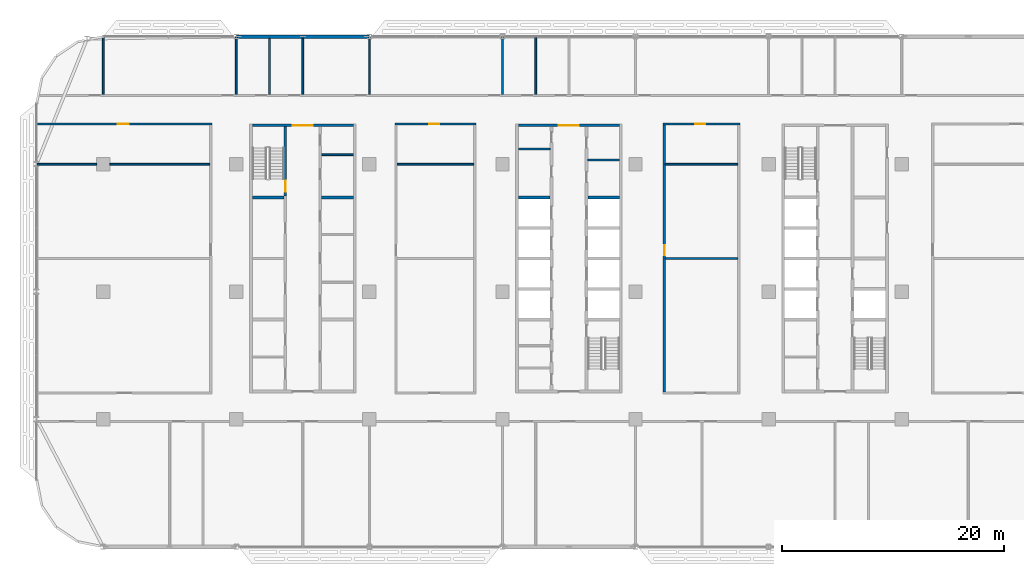
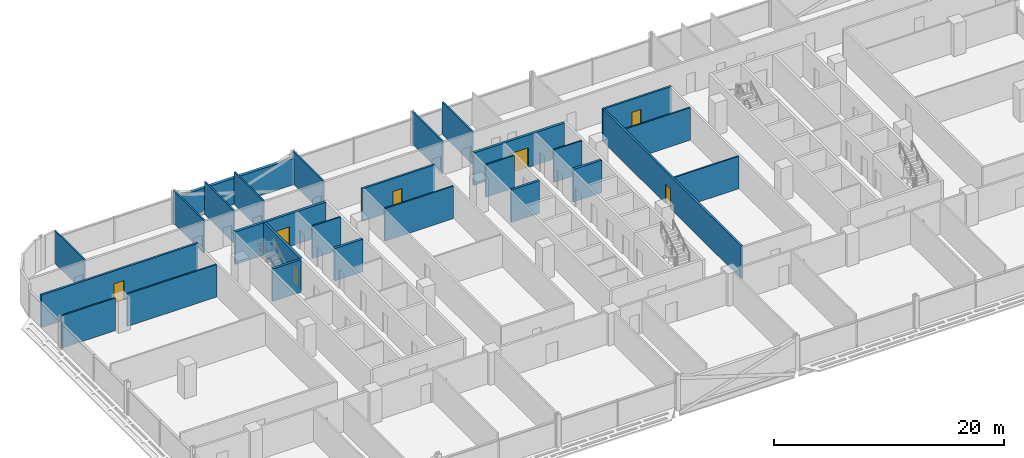
# One storey, part 13 of 27: 27 walls, 7 doors, 7 openings.
"""IFC4 building model written with IfcOpenShell, lengths in metres."""

from ifc_helpers import new_model, si_unit, direction, frame, frame_2d, origin, place, context, subcontext, project, spatial, rectangle, extrude, material, layer, layer_set, type_object, element, fill, save


model = new_model("IFC4")

# Units and contexts
model_context = context("Model", 3, precision=1e-05, world=origin(), true_north=direction((0.0, 1.0)))
body_context = subcontext(model_context, "Body", "Model", "MODEL_VIEW")
ifc_project = project(units=[si_unit("LENGTHUNIT", "METRE"), si_unit("AREAUNIT", "SQUARE_METRE"), si_unit("VOLUMEUNIT", "CUBIC_METRE"), si_unit("PLANEANGLEUNIT", "RADIAN"), si_unit("MASSUNIT", "GRAM", prefix="KILO")], contexts=[model_context])

# Site, building, storey
site_placement = place(None, origin())
site = spatial("IfcSite", under=ifc_project, at=site_placement, CompositionType="ELEMENT")
building_placement = place(site_placement, origin())
building = spatial("IfcBuilding", under=site, at=building_placement, Name="Mahtab Terrace Research Tower", CompositionType="ELEMENT")
storey_placement = place(building_placement, frame((0.0, 0.0, 166.800048828125)))
storey = spatial("IfcBuildingStorey", under=building, at=storey_placement, Name="L39", CompositionType="ELEMENT", Elevation=166.800048828125)

# Walls
ifc_material_1 = material(Name="Gypsum board partition")
ifc_layer_1 = layer(ifc_material_1, 0.14990234375)
ifc_layer_set_1 = layer_set([ifc_layer_1], Name="Core partition 150")
wall_type_1 = type_object("IfcWallType", Name="Core partition 150", PredefinedType="PARTITIONING", material=ifc_layer_set_1)
for number, where, z_axis, x_axis, name in (
    (1, (-22.300048828125, 12.35498046875, 0.0), (0.0, 0.0, 1.0), (1.0, 0.0, 0.0), "Core wall A pEN936"),
    (2, (-4.550048828125, 12.875, 0.0), (0.0, 0.0, 1.0), (1.0, 0.0, 0.0), "Core wall B pWN988"),
    (3, (1.699951171875, 11.875, 0.0), (0.0, 0.0, 1.0), (1.0, 0.0, 0.0), "Core wall B pEN888"),
):
    element("IfcWall", number, at=place(storey_placement, frame(where, z_axis=z_axis, x_axis=x_axis)), inside=storey, type_object=wall_type_1, Name=name, PredefinedType="PARTITIONING", context=body_context, shape_type="SweptSolid", body=[
        extrude(rectangle(XDim=2.85009765625, YDim=0.14990234375, at=frame_2d((1.425048828125, 0.0))), origin(), (0.0, 0.0, 1.0), 3.4599609375),
    ])

# Wall, opening, door
ifc_material_2 = material(Name="Concrete C70/85", Category="concrete")
ifc_layer_2 = layer(ifc_material_2, 0.25)
ifc_layer_set_2 = layer_set([ifc_layer_2], Name="Core wall 250")
wall_type_2 = type_object("IfcWallType", Name="Core wall 250", PredefinedType="SOLIDWALL", material=ifc_layer_set_2)
wall_1_placement = place(storey_placement, frame((-28.550048828125, 15.0, 0.0), z_axis=(0.0, 0.0, 1.0), x_axis=(1.0, 0.0, 0.0)))
wall_1 = element("IfcWall", 4, at=wall_1_placement, inside=storey, type_object=wall_type_2, Name="Core wall A endN", PredefinedType="SOLIDWALL", context=body_context, shape_type="SweptSolid", body=[
    extrude(rectangle(XDim=9.10009765625, YDim=0.25, at=frame_2d((4.550048828125, 0.0))), origin(), (0.0, 0.0, 1.0), 3.4599609375),
])
opening_1_placement = place(wall_1_placement, frame((3.64990234375, 0.0, 0.0)))
opening_1 = element("IfcOpeningElement", 5, at=opening_1_placement, cuts=wall_1, Name="Opening A-N1", PredefinedType="OPENING", context=body_context, shape_type="SweptSolid", body=[
    extrude(rectangle(XDim=1.800048828125, YDim=2.10009765625, at=frame_2d((0.89990234375, 1.050048828125))), frame((0.0, 0.135009765625, 0.0), z_axis=(0.0, -1.0, 0.0), x_axis=(1.0, 0.0, 0.0)), (0.0, 0.0, 1.0), 0.27001953125),
])
ifc_material_3 = material(Name="Steel fire door", Category="steel")
door_type_1 = type_object("IfcDoorType", Name="Lobby double door 1800x2100 1 HR", OperationType="DOUBLE_DOOR_SINGLE_SWING", PredefinedType="DOOR", material=ifc_material_3)
door_1_placement = place(opening_1_placement, origin())
door_1 = element("IfcDoor", 6, at=door_1_placement, inside=storey, type_object=door_type_1, Name="Core entrance door A N", OperationType="DOUBLE_DOOR_SINGLE_SWING", OverallHeight=2.10009765625, OverallWidth=1.800048828125, PredefinedType="DOOR", context=body_context, shape_type="SweptSolid", body=[
    extrude(rectangle(XDim=1.800048828125, YDim=2.10009765625, at=frame_2d((0.89990234375, 1.050048828125))), frame((0.0, 0.02490234375, 0.0), z_axis=(0.0, -1.0, 0.0), x_axis=(1.0, 0.0, 0.0)), (0.0, 0.0, 1.0), 0.050048828125),
])
fill(opening_1, door_1)

wall_2_placement = place(storey_placement, frame((-25.574951171875, 14.875, 0.0), z_axis=(0.0, 0.0, 1.0), x_axis=(0.0, -1.0, 0.0)))
wall_2 = element("IfcWall", 7, at=wall_2_placement, inside=storey, type_object=wall_type_2, Name="Core wall A innerWN", PredefinedType="SOLIDWALL", context=body_context, shape_type="SweptSolid", body=[
    extrude(rectangle(XDim=6.25, YDim=0.25, at=frame_2d((3.125, 0.0))), origin(), (0.0, 0.0, 1.0), 3.4599609375),
])
opening_2_placement = place(wall_2_placement, frame((4.85009765625, 0.0, 0.0)))
opening_2 = element("IfcOpeningElement", 8, at=opening_2_placement, cuts=wall_2, Name="Opening A-ST1", PredefinedType="OPENING", context=body_context, shape_type="SweptSolid", body=[
    extrude(rectangle(XDim=1.0, YDim=2.10009765625, at=frame_2d((0.5, 1.050048828125))), frame((0.0, 0.135009765625, 0.0), z_axis=(0.0, -1.0, 0.0), x_axis=(1.0, 0.0, 0.0)), (0.0, 0.0, 1.0), 0.27001953125),
])
door_type_2 = type_object("IfcDoorType", Name="Stair door 1000x2100 1.5 HR", OperationType="NOTDEFINED", PredefinedType="DOOR", material=ifc_material_3)
door_2_placement = place(opening_2_placement, origin())
door_2 = element("IfcDoor", 9, at=door_2_placement, inside=storey, type_object=door_type_2, Name="Stair door ST1 L39", OperationType="SINGLE_SWING_LEFT", OverallHeight=2.10009765625, OverallWidth=1.0, PredefinedType="DOOR", context=body_context, shape_type="SweptSolid", body=[
    extrude(rectangle(XDim=1.0, YDim=2.10009765625, at=frame_2d((0.5, 1.050048828125))), frame((0.0, 0.02490234375, 0.0), z_axis=(0.0, -1.0, 0.0), x_axis=(1.0, 0.0, 0.0)), (0.0, 0.0, 1.0), 0.050048828125),
])
fill(opening_2, door_2)

# Walls
for number, where, z_axis, x_axis, name in (
    (10, (-28.550048828125, 8.5, 0.0), (0.0, 0.0, 1.0), (1.0, 0.0, 0.0), "Core wall A divW4"),
    (11, (-22.300048828125, 8.5, 0.0), (0.0, 0.0, 1.0), (1.0, 0.0, 0.0), "Core wall A divE4"),
):
    element("IfcWall", number, at=place(storey_placement, frame(where, z_axis=z_axis, x_axis=x_axis)), inside=storey, type_object=wall_type_2, Name=name, PredefinedType="SOLIDWALL", context=body_context, shape_type="SweptSolid", body=[
        extrude(rectangle(XDim=2.85009765625, YDim=0.25, at=frame_2d((1.425048828125, 0.0))), origin(), (0.0, 0.0, 1.0), 3.4599609375),
    ])

# Wall, opening, door
wall_3_placement = place(storey_placement, frame((-4.550048828125, 15.0, 0.0), z_axis=(0.0, 0.0, 1.0), x_axis=(1.0, 0.0, 0.0)))
wall_3 = element("IfcWall", 12, at=wall_3_placement, inside=storey, type_object=wall_type_2, Name="Core wall B endN", PredefinedType="SOLIDWALL", context=body_context, shape_type="SweptSolid", body=[
    extrude(rectangle(XDim=9.10009765625, YDim=0.25, at=frame_2d((4.550048828125, 0.0))), origin(), (0.0, 0.0, 1.0), 3.4599609375),
])
opening_3_placement = place(wall_3_placement, frame((3.64990234375, 0.0, 0.0)))
opening_3 = element("IfcOpeningElement", 13, at=opening_3_placement, cuts=wall_3, Name="Opening B-N1", PredefinedType="OPENING", context=body_context, shape_type="SweptSolid", body=[
    extrude(rectangle(XDim=1.800048828125, YDim=2.10009765625, at=frame_2d((0.89990234375, 1.050048828125))), frame((0.0, 0.135009765625, 0.0), z_axis=(0.0, -1.0, 0.0), x_axis=(1.0, 0.0, 0.0)), (0.0, 0.0, 1.0), 0.27001953125),
])
door_3_placement = place(opening_3_placement, origin())
door_3 = element("IfcDoor", 14, at=door_3_placement, inside=storey, type_object=door_type_1, Name="Core entrance door B N", OperationType="DOUBLE_DOOR_SINGLE_SWING", OverallHeight=2.10009765625, OverallWidth=1.800048828125, PredefinedType="DOOR", context=body_context, shape_type="SweptSolid", body=[
    extrude(rectangle(XDim=1.800048828125, YDim=2.10009765625, at=frame_2d((0.89990234375, 1.050048828125))), frame((0.0, 0.02490234375, 0.0), z_axis=(0.0, -1.0, 0.0), x_axis=(1.0, 0.0, 0.0)), (0.0, 0.0, 1.0), 0.050048828125),
])
fill(opening_3, door_3)

# Walls
for number, where, z_axis, x_axis, name in (
    (15, (-4.550048828125, 8.5, 0.0), (0.0, 0.0, 1.0), (1.0, 0.0, 0.0), "Core wall B divW4"),
    (16, (1.699951171875, 8.5, 0.0), (0.0, 0.0, 1.0), (1.0, 0.0, 0.0), "Core wall B divE4"),
):
    element("IfcWall", number, at=place(storey_placement, frame(where, z_axis=z_axis, x_axis=x_axis)), inside=storey, type_object=wall_type_2, Name=name, PredefinedType="SOLIDWALL", context=body_context, shape_type="SweptSolid", body=[
        extrude(rectangle(XDim=2.85009765625, YDim=0.25, at=frame_2d((1.425048828125, 0.0))), origin(), (0.0, 0.0, 1.0), 3.4599609375),
    ])
ifc_material_4 = material(Name="Black aluminium cladding panel", Category="aluminium")
ifc_layer_3 = layer(ifc_material_4, 0.300048828125)
ifc_layer_set_3 = layer_set([ifc_layer_3], Name="Opaque facade wall 300")
wall_type_3 = type_object("IfcWallType", Name="Opaque facade wall 300", PredefinedType="NOTDEFINED", material=ifc_layer_set_3)
wall_4_placement = place(storey_placement, frame((-18.014892578125, 23.0, 0.0), z_axis=(0.0, 0.0, 1.0), x_axis=(-1.0, 0.0, 0.0)))
element("IfcWall", 17, at=wall_4_placement, inside=storey, type_object=wall_type_3, Name="Opaque facade wall L39 N8", PredefinedType="NOTDEFINED", context=body_context, shape_type="SweptSolid", body=[
    extrude(rectangle(XDim=11.97021484375, YDim=0.300048828125, at=frame_2d((5.985107421875, 0.0))), origin(), (0.0, 0.0, 1.0), 2.78173828125),
])

# Wall, opening, door
ifc_material_5 = material(Name="Gypsum board corridor wall on steel studs", Category="steel")
ifc_layer_4 = layer(ifc_material_5, 0.199951171875)
ifc_layer_set_4 = layer_set([ifc_layer_4], Name="WALL CORRIDOR 200")
wall_type_4 = type_object("IfcWallType", Name="WALL CORRIDOR 200", PredefinedType="PARTITIONING", material=ifc_layer_set_4)
wall_5_placement = place(storey_placement, frame((-47.97509765625, 15.125, 0.0), z_axis=(0.0, 0.0, 1.0), x_axis=(1.0, 0.0, 0.0)))
wall_5 = element("IfcWall", 18, at=wall_5_placement, inside=storey, type_object=wall_type_4, Name="L39-W024", PredefinedType="PARTITIONING", context=body_context, shape_type="SweptSolid", body=[
    extrude(rectangle(XDim=15.775146484375, YDim=0.199951171875, at=frame_2d((7.8876953125, 0.0))), origin(), (0.0, 0.0, 1.0), 3.4599609375),
])
opening_4_placement = place(wall_5_placement, frame((7.300048828125, 0.0, 0.0)))
opening_4 = element("IfcOpeningElement", 19, at=opening_4_placement, cuts=wall_5, Name="Opening L39-122", PredefinedType="OPENING", context=body_context, shape_type="SweptSolid", body=[
    extrude(rectangle(XDim=1.0, YDim=2.10009765625, at=frame_2d((0.5, 1.050048828125))), frame((0.0, 0.10986328125, 0.0), z_axis=(0.0, -1.0, 0.0), x_axis=(1.0, 0.0, 0.0)), (0.0, 0.0, 1.0), 0.219970703125),
])
ifc_material_6 = material(Name="Timber door leaf in steel frame", Category="steel")
door_type_3 = type_object("IfcDoorType", Name="DOOR 1000X2100 FD30S", OperationType="SINGLE_SWING_LEFT", PredefinedType="DOOR", material=ifc_material_6)
door_4_placement = place(opening_4_placement, origin())
door_4 = element("IfcDoor", 20, at=door_4_placement, inside=storey, type_object=door_type_3, Name="Door L39-122", OperationType="SINGLE_SWING_RIGHT", OverallHeight=2.10009765625, OverallWidth=1.0, PredefinedType="DOOR", context=body_context, shape_type="SweptSolid", body=[
    extrude(rectangle(XDim=1.0, YDim=2.10009765625, at=frame_2d((0.5, 1.050048828125))), frame((0.0, 0.02490234375, 0.0), z_axis=(0.0, -1.0, 0.0), x_axis=(1.0, 0.0, 0.0)), (0.0, 0.0, 1.0), 0.050048828125),
])
fill(opening_4, door_4)

wall_6_placement = place(storey_placement, frame((-15.699951171875, 15.125, 0.0), z_axis=(0.0, 0.0, 1.0), x_axis=(1.0, 0.0, 0.0)))
wall_6 = element("IfcWall", 21, at=wall_6_placement, inside=storey, type_object=wall_type_4, Name="L39-W025", PredefinedType="PARTITIONING", context=body_context, shape_type="SweptSolid", body=[
    extrude(rectangle(XDim=7.300048828125, YDim=0.199951171875, at=frame_2d((3.64990234375, 0.0))), origin(), (0.0, 0.0, 1.0), 3.4599609375),
])
opening_5_placement = place(wall_6_placement, frame((3.10009765625, 0.0, 0.0)))
opening_5 = element("IfcOpeningElement", 22, at=opening_5_placement, cuts=wall_6, Name="Opening L39-123", PredefinedType="OPENING", context=body_context, shape_type="SweptSolid", body=[
    extrude(rectangle(XDim=0.89990234375, YDim=2.10009765625, at=frame_2d((0.449951171875, 1.050048828125))), frame((0.0, 0.10986328125, 0.0), z_axis=(0.0, -1.0, 0.0), x_axis=(1.0, 0.0, 0.0)), (0.0, 0.0, 1.0), 0.219970703125),
])
door_type_4 = type_object("IfcDoorType", Name="DOOR 0900X2100 FD30S", OperationType="SINGLE_SWING_LEFT", PredefinedType="DOOR", material=ifc_material_6)
door_5_placement = place(opening_5_placement, origin())
door_5 = element("IfcDoor", 23, at=door_5_placement, inside=storey, type_object=door_type_4, Name="Door L39-123", OperationType="SINGLE_SWING_RIGHT", OverallHeight=2.10009765625, OverallWidth=0.89990234375, PredefinedType="DOOR", context=body_context, shape_type="SweptSolid", body=[
    extrude(rectangle(XDim=0.89990234375, YDim=2.10009765625, at=frame_2d((0.449951171875, 1.050048828125))), frame((0.0, 0.02490234375, 0.0), z_axis=(0.0, -1.0, 0.0), x_axis=(1.0, 0.0, 0.0)), (0.0, 0.0, 1.0), 0.050048828125),
])
fill(opening_5, door_5)

wall_7_placement = place(storey_placement, frame((8.5, 15.125, 0.0), z_axis=(0.0, 0.0, 1.0), x_axis=(1.0, 0.0, 0.0)))
wall_7 = element("IfcWall", 24, at=wall_7_placement, inside=storey, type_object=wall_type_4, Name="L39-W026", PredefinedType="PARTITIONING", context=body_context, shape_type="SweptSolid", body=[
    extrude(rectangle(XDim=6.89990234375, YDim=0.199951171875, at=frame_2d((3.449951171875, 0.0))), origin(), (0.0, 0.0, 1.0), 3.4599609375),
])
opening_6_placement = place(wall_7_placement, frame((2.89990234375, 0.0, 0.0)))
opening_6 = element("IfcOpeningElement", 25, at=opening_6_placement, cuts=wall_7, Name="Opening L39-124", PredefinedType="OPENING", context=body_context, shape_type="SweptSolid", body=[
    extrude(rectangle(XDim=0.89990234375, YDim=2.10009765625, at=frame_2d((0.449951171875, 1.050048828125))), frame((0.0, 0.10986328125, 0.0), z_axis=(0.0, -1.0, 0.0), x_axis=(1.0, 0.0, 0.0)), (0.0, 0.0, 1.0), 0.219970703125),
])
door_6_placement = place(opening_6_placement, origin())
door_6 = element("IfcDoor", 26, at=door_6_placement, inside=storey, type_object=door_type_4, Name="Door L39-124", OperationType="SINGLE_SWING_RIGHT", OverallHeight=2.10009765625, OverallWidth=0.89990234375, PredefinedType="DOOR", context=body_context, shape_type="SweptSolid", body=[
    extrude(rectangle(XDim=0.89990234375, YDim=2.10009765625, at=frame_2d((0.449951171875, 1.050048828125))), frame((0.0, 0.02490234375, 0.0), z_axis=(0.0, -1.0, 0.0), x_axis=(1.0, 0.0, 0.0)), (0.0, 0.0, 1.0), 0.050048828125),
])
fill(opening_6, door_6)

wall_8_placement = place(storey_placement, frame((8.60009765625, -9.02490234375, 0.0), z_axis=(0.0, 0.0, 1.0), x_axis=(0.0, 1.0, 0.0)))
wall_8 = element("IfcWall", 27, at=wall_8_placement, inside=storey, type_object=wall_type_4, Name="L39-W048", PredefinedType="PARTITIONING", context=body_context, shape_type="SweptSolid", body=[
    extrude(rectangle(XDim=24.0498046875, YDim=0.199951171875, at=frame_2d((12.02490234375, 0.0))), origin(), (0.0, 0.0, 1.0), 3.4599609375),
])
opening_7_placement = place(wall_8_placement, frame((12.300048828125, 0.0, 0.0)))
opening_7 = element("IfcOpeningElement", 28, at=opening_7_placement, cuts=wall_8, Name="Opening L39-120", PredefinedType="OPENING", context=body_context, shape_type="SweptSolid", body=[
    extrude(rectangle(XDim=0.89990234375, YDim=2.10009765625, at=frame_2d((0.449951171875, 1.050048828125))), frame((0.0, 0.10986328125, 0.0), z_axis=(0.0, -1.0, 0.0), x_axis=(1.0, 0.0, 0.0)), (0.0, 0.0, 1.0), 0.219970703125),
])
door_7_placement = place(opening_7_placement, origin())
door_7 = element("IfcDoor", 29, at=door_7_placement, inside=storey, type_object=door_type_4, Name="Door L39-120", OperationType="SINGLE_SWING_LEFT", OverallHeight=2.10009765625, OverallWidth=0.89990234375, PredefinedType="DOOR", context=body_context, shape_type="SweptSolid", body=[
    extrude(rectangle(XDim=0.89990234375, YDim=2.10009765625, at=frame_2d((0.449951171875, 1.050048828125))), frame((0.0, 0.02490234375, 0.0), z_axis=(0.0, -1.0, 0.0), x_axis=(1.0, 0.0, 0.0)), (0.0, 0.0, 1.0), 0.050048828125),
])
fill(opening_7, door_7)

# Walls
ifc_material_7 = material(Name="Gypsum board partition on steel studs", Category="steel")
ifc_layer_5 = layer(ifc_material_7, 0.14990234375)
ifc_layer_set_5 = layer_set([ifc_layer_5], Name="WALL PARTITION 150")
wall_type_5 = type_object("IfcWallType", Name="WALL PARTITION 150", PredefinedType="PARTITIONING", material=ifc_layer_set_5)
wall_9_placement = place(storey_placement, frame((8.699951171875, 3.0, 0.0), z_axis=(0.0, 0.0, 1.0), x_axis=(1.0, 0.0, 0.0)))
element("IfcWall", 30, at=wall_9_placement, inside=storey, type_object=wall_type_5, Name="L39-W016", PredefinedType="PARTITIONING", context=body_context, shape_type="SweptSolid", body=[
    extrude(rectangle(XDim=6.5, YDim=0.14990234375, at=frame_2d((3.25, 0.0))), origin(), (0.0, 0.0, 1.0), 3.4599609375),
])
wall_10_placement = place(storey_placement, frame((-47.97509765625, 11.5, 0.0), z_axis=(0.0, 0.0, 1.0), x_axis=(1.0, 0.0, 0.0)))
element("IfcWall", 31, at=wall_10_placement, inside=storey, type_object=wall_type_5, Name="L39-W018", PredefinedType="PARTITIONING", context=body_context, shape_type="SweptSolid", body=[
    extrude(rectangle(XDim=5.375, YDim=0.14990234375, at=frame_2d((2.6875, 0.0))), origin(), (0.0, 0.0, 1.0), 3.4599609375),
])
wall_11_placement = place(storey_placement, frame((-41.39990234375, 11.5, 0.0), z_axis=(0.0, 0.0, 1.0), x_axis=(1.0, 0.0, 0.0)))
element("IfcWall", 32, at=wall_11_placement, inside=storey, type_object=wall_type_5, Name="L39-W019", PredefinedType="PARTITIONING", context=body_context, shape_type="SweptSolid", body=[
    extrude(rectangle(XDim=9.0, YDim=0.14990234375, at=frame_2d((4.5, 0.0))), origin(), (0.0, 0.0, 1.0), 3.4599609375),
])
wall_12_placement = place(storey_placement, frame((-15.5, 11.5, 0.0), z_axis=(0.0, 0.0, 1.0), x_axis=(1.0, 0.0, 0.0)))
element("IfcWall", 33, at=wall_12_placement, inside=storey, type_object=wall_type_5, Name="L39-W020", PredefinedType="PARTITIONING", context=body_context, shape_type="SweptSolid", body=[
    extrude(rectangle(XDim=6.89990234375, YDim=0.14990234375, at=frame_2d((3.449951171875, 0.0))), origin(), (0.0, 0.0, 1.0), 3.4599609375),
])
wall_13_placement = place(storey_placement, frame((8.699951171875, 11.5, 0.0), z_axis=(0.0, 0.0, 1.0), x_axis=(1.0, 0.0, 0.0)))
element("IfcWall", 34, at=wall_13_placement, inside=storey, type_object=wall_type_5, Name="L39-W021", PredefinedType="PARTITIONING", context=body_context, shape_type="SweptSolid", body=[
    extrude(rectangle(XDim=6.5, YDim=0.14990234375, at=frame_2d((3.25, 0.0))), origin(), (0.0, 0.0, 1.0), 3.4599609375),
])
for number, where, z_axis, x_axis, name in (
    (35, (-42.0, 17.800048828125, 0.0), (0.0, 0.0, 1.0), (0.0, 1.0, 0.0), "L39-W029"),
    (36, (-30.0, 17.800048828125, 0.0), (0.0, 0.0, 1.0), (0.0, 1.0, 0.0), "L39-W033"),
):
    element("IfcWall", number, at=place(storey_placement, frame(where, z_axis=z_axis, x_axis=x_axis)), inside=storey, type_object=wall_type_5, Name=name, PredefinedType="PARTITIONING", context=body_context, shape_type="SweptSolid", body=[
        extrude(rectangle(XDim=5.175048828125, YDim=0.14990234375, at=frame_2d((2.58740234375, 0.0))), origin(), (0.0, 0.0, 1.0), 3.4599609375),
    ])
for number, where, z_axis, x_axis, name in (
    (37, (-27.0, 17.800048828125, 0.0), (0.0, 0.0, 1.0), (0.0, 1.0, 0.0), "L39-W034"),
    (38, (-24.0, 17.800048828125, 0.0), (0.0, 0.0, 1.0), (0.0, 1.0, 0.0), "L39-W036"),
):
    element("IfcWall", number, at=place(storey_placement, frame(where, z_axis=z_axis, x_axis=x_axis)), inside=storey, type_object=wall_type_5, Name=name, PredefinedType="PARTITIONING", context=body_context, shape_type="SweptSolid", body=[
        extrude(rectangle(XDim=5.050048828125, YDim=0.14990234375, at=frame_2d((2.52490234375, 0.0))), origin(), (0.0, 0.0, 1.0), 3.4599609375),
    ])
for number, where, z_axis, x_axis, name in (
    (39, (-18.0, 17.800048828125, 0.0), (0.0, 0.0, 1.0), (0.0, 1.0, 0.0), "L39-W038"),
    (40, (-6.0, 17.800048828125, 0.0), (0.0, 0.0, 1.0), (0.0, 1.0, 0.0), "L39-W042"),
    (41, (-3.0, 17.800048828125, 0.0), (0.0, 0.0, 1.0), (0.0, 1.0, 0.0), "L39-W044"),
):
    element("IfcWall", number, at=place(storey_placement, frame(where, z_axis=z_axis, x_axis=x_axis)), inside=storey, type_object=wall_type_5, Name=name, PredefinedType="PARTITIONING", context=body_context, shape_type="SweptSolid", body=[
        extrude(rectangle(XDim=5.175048828125, YDim=0.14990234375, at=frame_2d((2.58740234375, 0.0))), origin(), (0.0, 0.0, 1.0), 3.4599609375),
    ])

save(model, "model.ifc")
